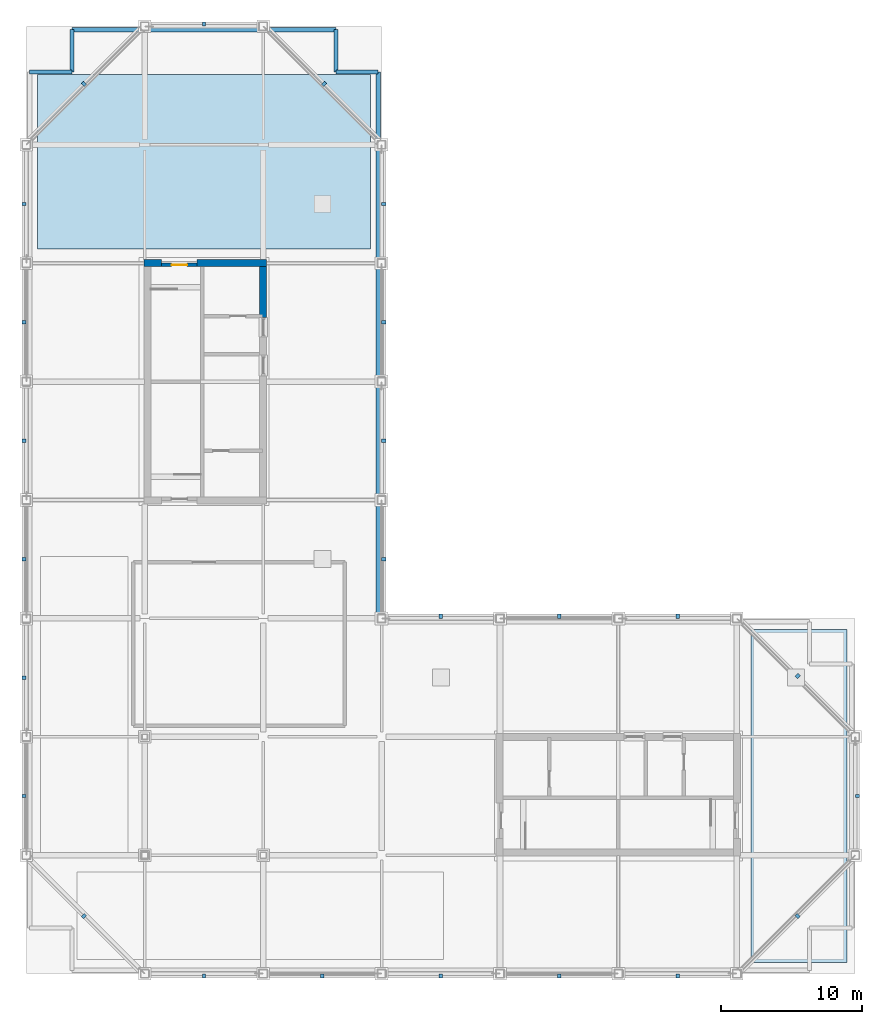
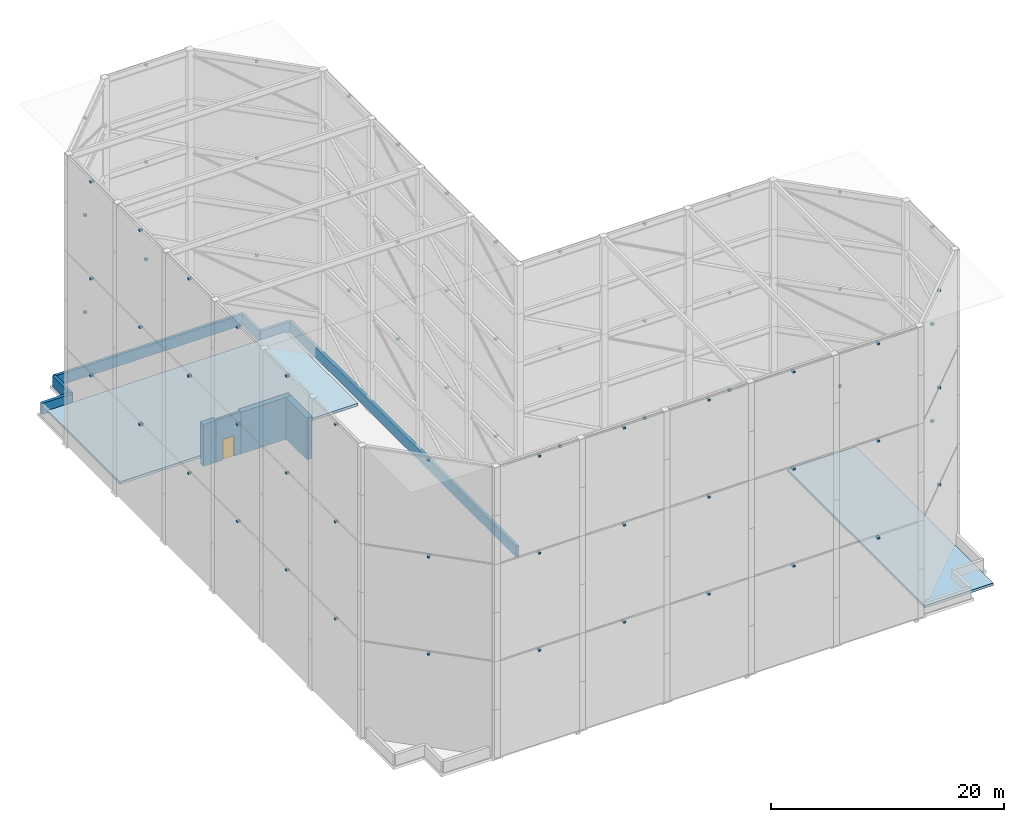
# One storey, part 16 of 17: 75 discrete accessories, 10 walls, 2 roofs, 1 door, 1 opening.
"""IFC4 building model written with IfcOpenShell, lengths in metres."""

from ifc_helpers import new_model, si_unit, direction, frame, frame_2d, origin, origin_2d, place, context, subcontext, project, spatial, polyline, rectangle, outline, extrude, material, layer, layer_set, type_object, element, fill, save


model = new_model("IFC4")

# Units and contexts
model_context = context("Model", 3, precision=1e-05, world=origin(), true_north=direction((0.0, 1.0)))
body_context = subcontext(model_context, "Body", "Model", "MODEL_VIEW")
ifc_project = project(units=[si_unit("LENGTHUNIT", "METRE"), si_unit("AREAUNIT", "SQUARE_METRE"), si_unit("VOLUMEUNIT", "CUBIC_METRE"), si_unit("PLANEANGLEUNIT", "RADIAN"), si_unit("MASSUNIT", "GRAM", prefix="KILO")], contexts=[model_context])

# Site, building, storey
site_placement = place(None, origin())
site = spatial("IfcSite", under=ifc_project, at=site_placement, CompositionType="ELEMENT")
building_placement = place(site_placement, origin())
building = spatial("IfcBuilding", under=site, at=building_placement, Name="Koriwani Terraces Tower", CompositionType="ELEMENT")
storey_placement = place(building_placement, frame((0.0, 0.0, 374.0)))
storey = spatial("IfcBuildingStorey", under=building, at=storey_placement, Name="RF", CompositionType="ELEMENT", Elevation=374.0)

# Walls
ifc_material_1 = material(Name="Concrete C50/60", Category="concrete")
ifc_layer_1 = layer(ifc_material_1, 0.5, Name="Concrete C50/60")
ifc_layer_set_1 = layer_set([ifc_layer_1], Name="Concrete C50/60")
wall_type_1 = type_object("IfcWallType", Name="WALL_CORE_RC_500", PredefinedType="SHEAR", material=ifc_layer_set_1)
wall_1_placement = place(storey_placement, frame((16.75, 58.800048828125, 0.0), z_axis=(0.0, 0.0, 1.0), x_axis=(1.0, 0.0, 0.0)))
element("IfcWall", 1, at=wall_1_placement, inside=storey, type_object=wall_type_1, Name="RF West Split Core Shear Wall N1", PredefinedType="SHEAR", context=body_context, shape_type="SweptSolid", body=[
    extrude(rectangle(XDim=1.25, YDim=0.5, at=frame_2d((0.625, 0.0))), origin(), (0.0, 0.0, 1.0), 4.39990234375),
])
wall_2_placement = place(storey_placement, frame((20.5, 58.800048828125, 0.0), z_axis=(0.0, 0.0, 1.0), x_axis=(1.0, 0.0, 0.0)))
element("IfcWall", 2, at=wall_2_placement, inside=storey, type_object=wall_type_1, Name="RF West Split Core Shear Wall N2", PredefinedType="SHEAR", context=body_context, shape_type="SweptSolid", body=[
    extrude(rectangle(XDim=4.949951171875, YDim=0.5, at=frame_2d((2.47509765625, 0.0))), origin(), (0.0, 0.0, 1.0), 4.39990234375),
])
wall_3_placement = place(storey_placement, frame((25.199951171875, 54.949951171875, 0.0), z_axis=(0.0, 0.0, 1.0), x_axis=(0.0, 1.0, 0.0)))
element("IfcWall", 3, at=wall_3_placement, inside=storey, type_object=wall_type_1, Name="RF West Split Core Shear Wall E3", PredefinedType="SHEAR", context=body_context, shape_type="SweptSolid", body=[
    extrude(rectangle(XDim=3.60009765625, YDim=0.5, at=frame_2d((1.800048828125, 0.0))), origin(), (0.0, 0.0, 1.0), 4.39990234375),
])
ifc_material_2 = material(Name="Concrete C40/50", Category="concrete")
ifc_layer_2 = layer(ifc_material_2, 0.300048828125, Name="Concrete C40/50")
ifc_layer_set_2 = layer_set([ifc_layer_2], Name="Concrete C40/50")
wall_type_2 = type_object("IfcWallType", Name="WALL_EXT_SPANDREL_300", PredefinedType="PARAPET", material=ifc_layer_set_2)
for number, where, z_axis, x_axis, name in (
    (4, (8.639892578125, 72.360107421875, 0.0), (0.0, 0.0, 1.0), (1.0, 0.0, 0.0), "RF Main Roof Perimeter Parapet Upstand 4"),
    (5, (11.639892578125, 72.360107421875, 0.0), (0.0, 0.0, 1.0), (0.0, 1.0, 0.0), "RF Main Roof Perimeter Parapet Upstand 5"),
):
    element("IfcWall", number, at=place(storey_placement, frame(where, z_axis=z_axis, x_axis=x_axis)), inside=storey, type_object=wall_type_2, Name=name, PredefinedType="PARAPET", context=body_context, shape_type="SweptSolid", body=[
        extrude(rectangle(XDim=3.0, YDim=0.300048828125, at=frame_2d((1.5, 0.0))), origin(), (0.0, 0.0, 1.0), 1.14990234375),
    ])
wall_4_placement = place(storey_placement, frame((11.639892578125, 75.360107421875, 0.0), z_axis=(0.0, 0.0, 1.0), x_axis=(1.0, 0.0, 0.0)))
element("IfcWall", 6, at=wall_4_placement, inside=storey, type_object=wall_type_2, Name="RF Main Roof Perimeter Parapet Upstand 6", PredefinedType="PARAPET", context=body_context, shape_type="SweptSolid", body=[
    extrude(rectangle(XDim=18.72021484375, YDim=0.300048828125, at=frame_2d((9.360107421875, 0.0))), origin(), (0.0, 0.0, 1.0), 1.14990234375),
])
for number, where, z_axis, x_axis, name in (
    (7, (30.360107421875, 75.360107421875, 0.0), (0.0, 0.0, 1.0), (0.0, -1.0, 0.0), "RF Main Roof Perimeter Parapet Upstand 7"),
    (8, (30.360107421875, 72.360107421875, 0.0), (0.0, 0.0, 1.0), (1.0, 0.0, 0.0), "RF Main Roof Perimeter Parapet Upstand 8"),
):
    element("IfcWall", number, at=place(storey_placement, frame(where, z_axis=z_axis, x_axis=x_axis)), inside=storey, type_object=wall_type_2, Name=name, PredefinedType="PARAPET", context=body_context, shape_type="SweptSolid", body=[
        extrude(rectangle(XDim=3.0, YDim=0.300048828125, at=frame_2d((1.5, 0.0))), origin(), (0.0, 0.0, 1.0), 1.14990234375),
    ])
wall_5_placement = place(storey_placement, frame((33.360107421875, 72.360107421875, 0.0), z_axis=(0.0, 0.0, 1.0), x_axis=(0.0, -1.0, 0.0)))
element("IfcWall", 9, at=wall_5_placement, inside=storey, type_object=wall_type_2, Name="RF Main Roof Perimeter Parapet Upstand 9", PredefinedType="PARAPET", context=body_context, shape_type="SweptSolid", body=[
    extrude(rectangle(XDim=39.0, YDim=0.300048828125, at=frame_2d((19.5, 0.0))), origin(), (0.0, 0.0, 1.0), 1.14990234375),
])

# Wall, opening, door
ifc_layer_3 = layer(ifc_material_2, 0.25, Name="Concrete C40/50")
ifc_layer_set_3 = layer_set([ifc_layer_3], Name="Concrete C40/50")
wall_type_3 = type_object("IfcWallType", Name="WALL_SHAFT_RATED_250", PredefinedType="SOLIDWALL", material=ifc_layer_set_3)
wall_6_placement = place(storey_placement, frame((18.0, 58.675048828125, 0.0), z_axis=(0.0, 0.0, 1.0), x_axis=(1.0, 0.0, 0.0)))
wall_6 = element("IfcWall", 10, at=wall_6_placement, inside=storey, type_object=wall_type_3, Name="RF Interior Wall WIN-CW-RF-STN", PredefinedType="SOLIDWALL", context=body_context, shape_type="SweptSolid", body=[
    extrude(rectangle(XDim=2.5, YDim=0.25, at=frame_2d((1.25, 0.0))), origin(), (0.0, 0.0, 1.0), 4.39990234375),
])
opening_placement = place(wall_6_placement, frame((0.699951171875, 0.0, 0.0)))
opening = element("IfcOpeningElement", 11, at=opening_placement, cuts=wall_6, Name="Opening D-03", PredefinedType="OPENING", context=body_context, shape_type="SweptSolid", body=[
    extrude(rectangle(XDim=1.10009765625, YDim=2.14990234375, at=frame_2d((0.550048828125, 1.074951171875))), frame((0.0, 0.135009765625, 0.0), z_axis=(0.0, -1.0, 0.0), x_axis=(1.0, 0.0, 0.0)), (0.0, 0.0, 1.0), 0.27001953125),
])
ifc_material_3 = material(Name="Steel ASTM A572 Grade 50", Category="steel")
door_type = type_object("IfcDoorType", Name="DOOR_STAIR_FIRE_1100X2150", OperationType="NOTDEFINED", PredefinedType="DOOR", material=ifc_material_3)
door_placement = place(opening_placement, origin())
door = element("IfcDoor", 12, at=door_placement, inside=storey, type_object=door_type, Name="RF Exit Stair ST-W2 Door", OperationType="SINGLE_SWING_LEFT", OverallHeight=2.14990234375, OverallWidth=1.10009765625, PredefinedType="DOOR", context=body_context, shape_type="SweptSolid", body=[
    extrude(rectangle(XDim=1.10009765625, YDim=2.14990234375, at=frame_2d((0.550048828125, 1.074951171875))), frame((0.0, 0.02490234375, 0.0), z_axis=(0.0, -1.0, 0.0), x_axis=(1.0, 0.0, 0.0)), (0.0, 0.0, 1.0), 0.050048828125),
])
fill(opening, door)

# Roofs
ifc_layer_4 = layer(ifc_material_1, 0.260009765625, Name="Concrete C50/60")
ifc_layer_set_4 = layer_set([ifc_layer_4], Name="Concrete C50/60")
roof_type = type_object("IfcRoofType", Name="CROWN_CAP_ROOF_260", PredefinedType="FLAT_ROOF", material=ifc_layer_set_4)
roof_1_placement = place(storey_placement, origin())
element("IfcRoof", 13, at=roof_1_placement, inside=storey, type_object=roof_type, Name="RF North Wing Insulated Roof Deck", PredefinedType="FLAT_ROOF", context=body_context, shape_type="SweptSolid", body=[
    extrude(outline(polyline([(9.199951171875, 59.800048828125), (32.800048828125, 59.800048828125), (32.800048828125, 72.199951171875), (9.199951171875, 72.199951171875), (9.199951171875, 59.800048828125)])), origin(), (0.0, 0.0, 1.0), 0.260009765625),
])
roof_2_placement = place(storey_placement, origin())
element("IfcRoof", 14, at=roof_2_placement, inside=storey, type_object=roof_type, Name="RF East Wing Insulated Roof Deck", PredefinedType="FLAT_ROOF", context=body_context, shape_type="SweptSolid", body=[
    extrude(outline(polyline([(59.800048828125, 9.199951171875), (66.60009765625, 9.199951171875), (66.60009765625, 32.800048828125), (59.800048828125, 32.800048828125), (59.800048828125, 9.199951171875)])), origin(), (0.0, 0.0, 1.0), 0.260009765625),
])

# Discrete accessories
discrete_accessory_type = type_object("IfcDiscreteAccessoryType", Name="BAGUETTE_STANDOFF_BRACKET", PredefinedType="BRACKET", material=ifc_material_3)
for number, where, z_axis, x_axis, name in (
    (15, (21.0, 8.239990234375, 9.72998046875), (0.0, 0.0, 1.0), (1.0, 0.0, 0.0), "Crown Frame Band 1 Screen Bracket 1"),
    (16, (29.39990234375, 8.239990234375, 9.72998046875), (0.0, 0.0, 1.0), (1.0, 0.0, 0.0), "Crown Frame Band 1 Screen Bracket 2"),
    (17, (37.800048828125, 8.239990234375, 9.72998046875), (0.0, 0.0, 1.0), (1.0, 0.0, 0.0), "Crown Frame Band 1 Screen Bracket 3"),
    (18, (46.199951171875, 8.239990234375, 9.72998046875), (0.0, 0.0, 1.0), (1.0, 0.0, 0.0), "Crown Frame Band 1 Screen Bracket 4"),
    (19, (54.60009765625, 8.239990234375, 9.72998046875), (0.0, 0.0, 1.0), (1.0, 0.0, 0.0), "Crown Frame Band 1 Screen Bracket 5"),
    (20, (63.113037109375, 12.48681640625, 9.72998046875), (0.0, 0.0, 1.0), (0.707106781187, 0.707106781187, 0.0), "Crown Frame Band 1 Screen Bracket 6"),
    (21, (67.360107421875, 21.0, 9.72998046875), (0.0, 0.0, 1.0), (0.0, 1.0, 0.0), "Crown Frame Band 1 Screen Bracket 7"),
    (22, (63.113037109375, 29.51318359375, 9.72998046875), (0.0, 0.0, 1.0), (-0.707106781187, 0.707106781187, 0.0), "Crown Frame Band 1 Screen Bracket 8"),
    (23, (54.60009765625, 33.760009765625, 9.72998046875), (0.0, 0.0, 1.0), (-1.0, 0.0, 0.0), "Crown Frame Band 1 Screen Bracket 9"),
    (24, (46.199951171875, 33.760009765625, 9.72998046875), (0.0, 0.0, 1.0), (-1.0, 0.0, 0.0), "Crown Frame Band 1 Screen Bracket 10"),
    (25, (37.800048828125, 33.760009765625, 9.72998046875), (0.0, 0.0, 1.0), (-1.0, 0.0, 0.0), "Crown Frame Band 1 Screen Bracket 11"),
    (26, (33.760009765625, 37.800048828125, 9.72998046875), (0.0, 0.0, 1.0), (0.0, 1.0, 0.0), "Crown Frame Band 1 Screen Bracket 12"),
    (27, (33.760009765625, 46.199951171875, 9.72998046875), (0.0, 0.0, 1.0), (0.0, 1.0, 0.0), "Crown Frame Band 1 Screen Bracket 13"),
    (28, (33.760009765625, 54.60009765625, 9.72998046875), (0.0, 0.0, 1.0), (0.0, 1.0, 0.0), "Crown Frame Band 1 Screen Bracket 14"),
    (29, (33.760009765625, 63.0, 9.72998046875), (0.0, 0.0, 1.0), (0.0, 1.0, 0.0), "Crown Frame Band 1 Screen Bracket 15"),
    (30, (29.51318359375, 71.51318359375, 9.72998046875), (0.0, 0.0, 1.0), (-0.707106781187, 0.707106781187, 0.0), "Crown Frame Band 1 Screen Bracket 16"),
    (31, (21.0, 75.760009765625, 9.72998046875), (0.0, 0.0, 1.0), (-1.0, 0.0, 0.0), "Crown Frame Band 1 Screen Bracket 17"),
    (32, (12.48681640625, 71.51318359375, 9.72998046875), (0.0, 0.0, 1.0), (-0.707106781187, -0.707106781187, 0.0), "Crown Frame Band 1 Screen Bracket 18"),
    (33, (8.239990234375, 63.0, 9.72998046875), (0.0, 0.0, 1.0), (0.0, -1.0, 0.0), "Crown Frame Band 1 Screen Bracket 19"),
    (34, (8.239990234375, 54.60009765625, 9.72998046875), (0.0, 0.0, 1.0), (0.0, -1.0, 0.0), "Crown Frame Band 1 Screen Bracket 20"),
    (35, (8.239990234375, 46.199951171875, 9.72998046875), (0.0, 0.0, 1.0), (0.0, -1.0, 0.0), "Crown Frame Band 1 Screen Bracket 21"),
    (36, (8.239990234375, 37.800048828125, 9.72998046875), (0.0, 0.0, 1.0), (0.0, -1.0, 0.0), "Crown Frame Band 1 Screen Bracket 22"),
    (37, (8.239990234375, 29.39990234375, 9.72998046875), (0.0, 0.0, 1.0), (0.0, -1.0, 0.0), "Crown Frame Band 1 Screen Bracket 23"),
    (38, (8.239990234375, 21.0, 9.72998046875), (0.0, 0.0, 1.0), (0.0, -1.0, 0.0), "Crown Frame Band 1 Screen Bracket 24"),
    (39, (12.48681640625, 12.48681640625, 9.72998046875), (0.0, 0.0, 1.0), (0.707106781187, -0.707106781187, 0.0), "Crown Frame Band 1 Screen Bracket 25"),
    (40, (21.0, 8.239990234375, 19.91015625), (0.0, 0.0, 1.0), (1.0, 0.0, 0.0), "Crown Frame Band 2 Screen Bracket 1"),
    (41, (29.39990234375, 8.239990234375, 19.91015625), (0.0, 0.0, 1.0), (1.0, 0.0, 0.0), "Crown Frame Band 2 Screen Bracket 2"),
    (42, (37.800048828125, 8.239990234375, 19.91015625), (0.0, 0.0, 1.0), (1.0, 0.0, 0.0), "Crown Frame Band 2 Screen Bracket 3"),
    (43, (46.199951171875, 8.239990234375, 19.91015625), (0.0, 0.0, 1.0), (1.0, 0.0, 0.0), "Crown Frame Band 2 Screen Bracket 4"),
    (44, (54.60009765625, 8.239990234375, 19.91015625), (0.0, 0.0, 1.0), (1.0, 0.0, 0.0), "Crown Frame Band 2 Screen Bracket 5"),
    (45, (63.113037109375, 12.48681640625, 19.91015625), (0.0, 0.0, 1.0), (0.707106781187, 0.707106781187, 0.0), "Crown Frame Band 2 Screen Bracket 6"),
    (46, (67.360107421875, 21.0, 19.91015625), (0.0, 0.0, 1.0), (0.0, 1.0, 0.0), "Crown Frame Band 2 Screen Bracket 7"),
    (47, (63.113037109375, 29.51318359375, 19.91015625), (0.0, 0.0, 1.0), (-0.707106781187, 0.707106781187, 0.0), "Crown Frame Band 2 Screen Bracket 8"),
    (48, (54.60009765625, 33.760009765625, 19.91015625), (0.0, 0.0, 1.0), (-1.0, 0.0, 0.0), "Crown Frame Band 2 Screen Bracket 9"),
    (49, (46.199951171875, 33.760009765625, 19.91015625), (0.0, 0.0, 1.0), (-1.0, 0.0, 0.0), "Crown Frame Band 2 Screen Bracket 10"),
    (50, (37.800048828125, 33.760009765625, 19.91015625), (0.0, 0.0, 1.0), (-1.0, 0.0, 0.0), "Crown Frame Band 2 Screen Bracket 11"),
    (51, (33.760009765625, 37.800048828125, 19.91015625), (0.0, 0.0, 1.0), (0.0, 1.0, 0.0), "Crown Frame Band 2 Screen Bracket 12"),
    (52, (33.760009765625, 46.199951171875, 19.91015625), (0.0, 0.0, 1.0), (0.0, 1.0, 0.0), "Crown Frame Band 2 Screen Bracket 13"),
    (53, (33.760009765625, 54.60009765625, 19.91015625), (0.0, 0.0, 1.0), (0.0, 1.0, 0.0), "Crown Frame Band 2 Screen Bracket 14"),
    (54, (33.760009765625, 63.0, 19.91015625), (0.0, 0.0, 1.0), (0.0, 1.0, 0.0), "Crown Frame Band 2 Screen Bracket 15"),
    (55, (29.51318359375, 71.51318359375, 19.91015625), (0.0, 0.0, 1.0), (-0.707106781187, 0.707106781187, 0.0), "Crown Frame Band 2 Screen Bracket 16"),
    (56, (21.0, 75.760009765625, 19.91015625), (0.0, 0.0, 1.0), (-1.0, 0.0, 0.0), "Crown Frame Band 2 Screen Bracket 17"),
    (57, (12.48681640625, 71.51318359375, 19.91015625), (0.0, 0.0, 1.0), (-0.707106781187, -0.707106781187, 0.0), "Crown Frame Band 2 Screen Bracket 18"),
    (58, (8.239990234375, 63.0, 19.91015625), (0.0, 0.0, 1.0), (0.0, -1.0, 0.0), "Crown Frame Band 2 Screen Bracket 19"),
    (59, (8.239990234375, 54.60009765625, 19.91015625), (0.0, 0.0, 1.0), (0.0, -1.0, 0.0), "Crown Frame Band 2 Screen Bracket 20"),
    (60, (8.239990234375, 46.199951171875, 19.91015625), (0.0, 0.0, 1.0), (0.0, -1.0, 0.0), "Crown Frame Band 2 Screen Bracket 21"),
    (61, (8.239990234375, 37.800048828125, 19.91015625), (0.0, 0.0, 1.0), (0.0, -1.0, 0.0), "Crown Frame Band 2 Screen Bracket 22"),
    (62, (8.239990234375, 29.39990234375, 19.91015625), (0.0, 0.0, 1.0), (0.0, -1.0, 0.0), "Crown Frame Band 2 Screen Bracket 23"),
    (63, (8.239990234375, 21.0, 19.91015625), (0.0, 0.0, 1.0), (0.0, -1.0, 0.0), "Crown Frame Band 2 Screen Bracket 24"),
    (64, (12.48681640625, 12.48681640625, 19.91015625), (0.0, 0.0, 1.0), (0.707106781187, -0.707106781187, 0.0), "Crown Frame Band 2 Screen Bracket 25"),
    (65, (21.0, 8.239990234375, 30.08984375), (0.0, 0.0, 1.0), (1.0, 0.0, 0.0), "Crown Frame Band 3 Screen Bracket 1"),
    (66, (29.39990234375, 8.239990234375, 30.08984375), (0.0, 0.0, 1.0), (1.0, 0.0, 0.0), "Crown Frame Band 3 Screen Bracket 2"),
    (67, (37.800048828125, 8.239990234375, 30.08984375), (0.0, 0.0, 1.0), (1.0, 0.0, 0.0), "Crown Frame Band 3 Screen Bracket 3"),
    (68, (46.199951171875, 8.239990234375, 30.08984375), (0.0, 0.0, 1.0), (1.0, 0.0, 0.0), "Crown Frame Band 3 Screen Bracket 4"),
    (69, (54.60009765625, 8.239990234375, 30.08984375), (0.0, 0.0, 1.0), (1.0, 0.0, 0.0), "Crown Frame Band 3 Screen Bracket 5"),
    (70, (63.113037109375, 12.48681640625, 30.08984375), (0.0, 0.0, 1.0), (0.707106781187, 0.707106781187, 0.0), "Crown Frame Band 3 Screen Bracket 6"),
    (71, (67.360107421875, 21.0, 30.08984375), (0.0, 0.0, 1.0), (0.0, 1.0, 0.0), "Crown Frame Band 3 Screen Bracket 7"),
    (72, (63.113037109375, 29.51318359375, 30.08984375), (0.0, 0.0, 1.0), (-0.707106781187, 0.707106781187, 0.0), "Crown Frame Band 3 Screen Bracket 8"),
    (73, (54.60009765625, 33.760009765625, 30.08984375), (0.0, 0.0, 1.0), (-1.0, 0.0, 0.0), "Crown Frame Band 3 Screen Bracket 9"),
    (74, (46.199951171875, 33.760009765625, 30.08984375), (0.0, 0.0, 1.0), (-1.0, 0.0, 0.0), "Crown Frame Band 3 Screen Bracket 10"),
    (75, (37.800048828125, 33.760009765625, 30.08984375), (0.0, 0.0, 1.0), (-1.0, 0.0, 0.0), "Crown Frame Band 3 Screen Bracket 11"),
    (76, (33.760009765625, 37.800048828125, 30.08984375), (0.0, 0.0, 1.0), (0.0, 1.0, 0.0), "Crown Frame Band 3 Screen Bracket 12"),
    (77, (33.760009765625, 46.199951171875, 30.08984375), (0.0, 0.0, 1.0), (0.0, 1.0, 0.0), "Crown Frame Band 3 Screen Bracket 13"),
    (78, (33.760009765625, 54.60009765625, 30.08984375), (0.0, 0.0, 1.0), (0.0, 1.0, 0.0), "Crown Frame Band 3 Screen Bracket 14"),
    (79, (33.760009765625, 63.0, 30.08984375), (0.0, 0.0, 1.0), (0.0, 1.0, 0.0), "Crown Frame Band 3 Screen Bracket 15"),
    (80, (29.51318359375, 71.51318359375, 30.08984375), (0.0, 0.0, 1.0), (-0.707106781187, 0.707106781187, 0.0), "Crown Frame Band 3 Screen Bracket 16"),
    (81, (21.0, 75.760009765625, 30.08984375), (0.0, 0.0, 1.0), (-1.0, 0.0, 0.0), "Crown Frame Band 3 Screen Bracket 17"),
    (82, (12.48681640625, 71.51318359375, 30.08984375), (0.0, 0.0, 1.0), (-0.707106781187, -0.707106781187, 0.0), "Crown Frame Band 3 Screen Bracket 18"),
    (83, (8.239990234375, 63.0, 30.08984375), (0.0, 0.0, 1.0), (0.0, -1.0, 0.0), "Crown Frame Band 3 Screen Bracket 19"),
    (84, (8.239990234375, 54.60009765625, 30.08984375), (0.0, 0.0, 1.0), (0.0, -1.0, 0.0), "Crown Frame Band 3 Screen Bracket 20"),
    (85, (8.239990234375, 46.199951171875, 30.08984375), (0.0, 0.0, 1.0), (0.0, -1.0, 0.0), "Crown Frame Band 3 Screen Bracket 21"),
    (86, (8.239990234375, 37.800048828125, 30.08984375), (0.0, 0.0, 1.0), (0.0, -1.0, 0.0), "Crown Frame Band 3 Screen Bracket 22"),
    (87, (8.239990234375, 29.39990234375, 30.08984375), (0.0, 0.0, 1.0), (0.0, -1.0, 0.0), "Crown Frame Band 3 Screen Bracket 23"),
    (88, (8.239990234375, 21.0, 30.08984375), (0.0, 0.0, 1.0), (0.0, -1.0, 0.0), "Crown Frame Band 3 Screen Bracket 24"),
    (89, (12.48681640625, 12.48681640625, 30.08984375), (0.0, 0.0, 1.0), (0.707106781187, -0.707106781187, 0.0), "Crown Frame Band 3 Screen Bracket 25"),
):
    element("IfcDiscreteAccessory", number, at=place(storey_placement, frame(where, z_axis=z_axis, x_axis=x_axis)), inside=storey, type_object=discrete_accessory_type, Name=name, PredefinedType="BRACKET", context=body_context, shape_type="SweptSolid", body=[
        extrude(rectangle(XDim=0.239990234375, YDim=0.300048828125, at=origin_2d()), origin(), (0.0, 0.0, 1.0), 0.199951171875),
    ])

save(model, "model.ifc")
